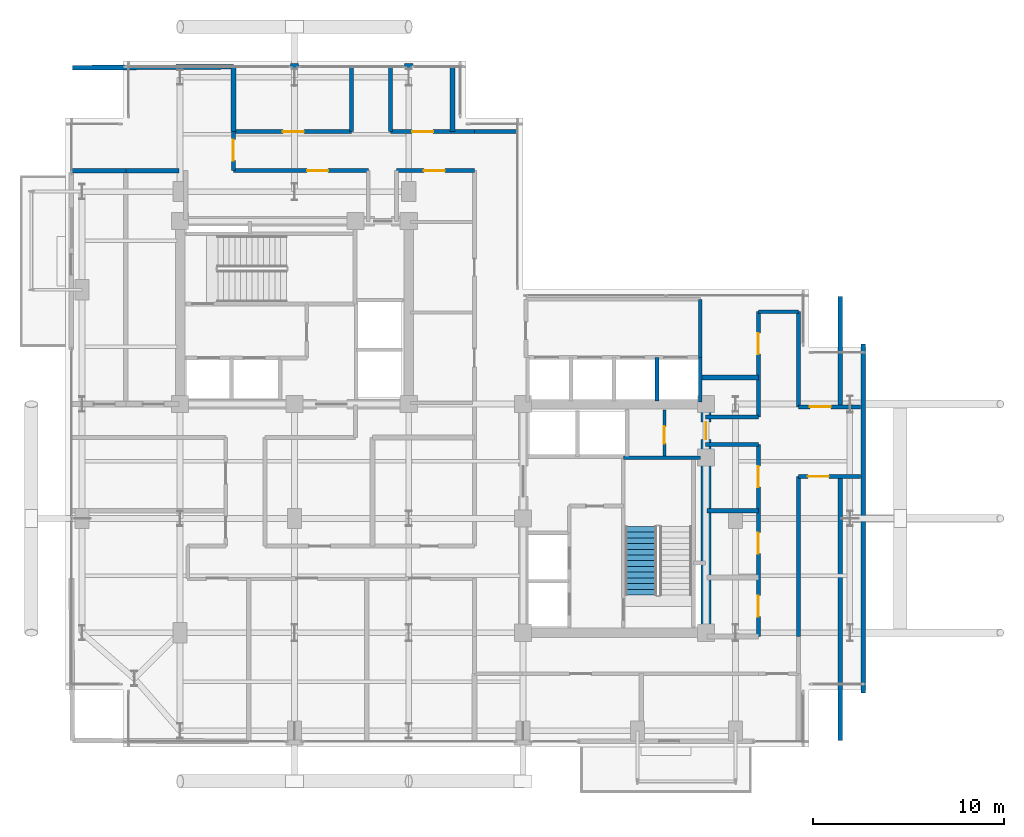
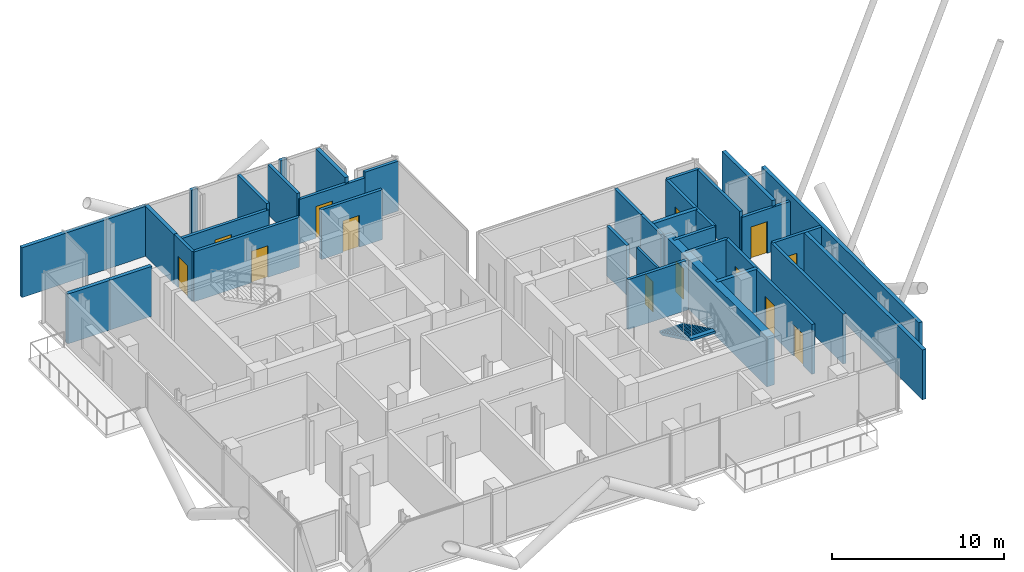
# One storey, part 22 of 26: 35 walls, 13 doors, 1 stair flight, 13 openings, 1 element without a shape of its own.
"""IFC4 building model written with IfcOpenShell, lengths in metres."""

import ifcopenshell
import ifcopenshell.guid

model = None  # the IFC model being written
_history = None  # IfcOwnerHistory: only IFC2X3 demands one
_inside = {}  # id of a spatial element -> (the spatial element, [elements in it])
_under = {}  # id of a project, library or spatial element -> (it, [spatial elements below it])
_declared = {}  # id of a project -> (the project, [libraries it declares])
_typed = {}  # id of a type object -> (the type object, [elements of that type])
_made_of = {}  # id of a material, layer set ... -> (it, [elements and type objects made of it])


def new_model(schema):
    """Start an empty IFC model of exactly this schema.

    Asked for "IFC4X3", IfcOpenShell would pick the latest addendum, in which some entities
    have other attributes; the version numbers below select the first issue.
    IFC2X3 requires an IfcOwnerHistory on every rooted entity: one is made here for all.
    """
    global model, _history
    if schema == "IFC4X3":
        model = ifcopenshell.file(schema_version=(4, 3, 0, 0))
    else:
        model = ifcopenshell.file(schema=schema)
    _inside.clear()
    _under.clear()
    _declared.clear()
    _typed.clear()
    _made_of.clear()
    _history = None
    if model.schema == "IFC2X3":
        org = make("IfcOrganization", Name="unknown")
        user = make(
            "IfcPersonAndOrganization",
            ThePerson=make("IfcPerson", FamilyName="unknown"),
            TheOrganization=org,
        )
        app = make(
            "IfcApplication",
            ApplicationDeveloper=org,
            Version="unknown",
            ApplicationFullName="unknown",
            ApplicationIdentifier="unknown",
        )
        _history = make(
            "IfcOwnerHistory",
            OwningUser=user,
            OwningApplication=app,
            ChangeAction="ADDED",
            CreationDate=0,
        )
    return model


def make(cls, **values):
    """One entity of the class cls with the attributes given. An attribute that is None is left unset."""
    return model.create_entity(
        cls, **{name: value for name, value in values.items() if value is not None}
    )


def rooted(cls, **values):
    """An entity with a GlobalId (a new one), such as an element, a storey or a relation."""
    return make(cls, GlobalId=ifcopenshell.guid.new(), OwnerHistory=_history, **values)


def si_unit(unit_type, name, prefix=None):
    """IfcSIUnit, for example si_unit("LENGTHUNIT", "METRE", prefix="MILLI")."""
    return make("IfcSIUnit", UnitType=unit_type, Prefix=prefix, Name=name)


def assignment(units):
    """IfcUnitAssignment: the units of a project."""
    return None if units is None else make("IfcUnitAssignment", Units=units)


def point(xyz):
    """IfcCartesianPoint."""
    return None if xyz is None else make("IfcCartesianPoint", Coordinates=xyz)


def direction(xyz):
    """IfcDirection."""
    return None if xyz is None else make("IfcDirection", DirectionRatios=xyz)


def frame(location, z_axis=None, x_axis=None):
    """IfcAxis2Placement3D, a coordinate frame: its origin and axes. An axis left out is left unset."""
    return make(
        "IfcAxis2Placement3D",
        Location=point(location),
        Axis=direction(z_axis),
        RefDirection=direction(x_axis),
    )


def frame_2d(location, x_axis=None):
    """IfcAxis2Placement2D, a coordinate frame in the plane: its origin and x axis."""
    return make(
        "IfcAxis2Placement2D", Location=point(location), RefDirection=direction(x_axis)
    )


def origin():
    """The frame at (0, 0, 0) with its axes left unset."""
    return frame((0.0, 0.0, 0.0))


def place(relative_to, where):
    """IfcLocalPlacement: puts the frame where relative to a parent placement (None: the world)."""
    return make(
        "IfcLocalPlacement", PlacementRelTo=relative_to, RelativePlacement=where
    )


def context(
    kind, dimensions, precision=None, world=None, true_north=None, identifier=None
):
    """IfcGeometricRepresentationContext, for example the 3D "Model" context."""
    return make(
        "IfcGeometricRepresentationContext",
        ContextIdentifier=identifier,
        ContextType=kind,
        CoordinateSpaceDimension=dimensions,
        Precision=precision,
        WorldCoordinateSystem=world,
        TrueNorth=true_north,
    )


def subcontext(parent, identifier, kind, view, scale=None):
    """IfcGeometricRepresentationSubContext, for example "Body" below "Model"."""
    return make(
        "IfcGeometricRepresentationSubContext",
        ContextIdentifier=identifier,
        ContextType=kind,
        ParentContext=parent,
        TargetScale=scale,
        TargetView=view,
    )


def project(units=None, contexts=None):
    """IfcProject with its units and contexts."""
    return rooted(
        "IfcProject",
        Name="project",
        RepresentationContexts=contexts,
        UnitsInContext=assignment(units),
    )


def spatial(cls, under=None, at=None, **own):
    """A site, building, storey or space (cls), placed at a placement, below another one or the project."""
    s = rooted(cls, ObjectPlacement=at, **own)
    if under is not None:
        _under.setdefault(under.id(), (under, []))[1].append(s)
    return s


def polyline(points):
    """IfcPolyline through the points."""
    return make("IfcPolyline", Points=[point(p) for p in points])


def profile(cls, at=None, kind="AREA", **sizes):
    """A parametric profile (cls). Its sizes go by their IFC names, for example OverallWidth=200.0."""
    return make(cls, ProfileType=kind, Position=at, **sizes)


def rectangle(**sizes):
    """IfcRectangleProfileDef."""
    return profile("IfcRectangleProfileDef", **sizes)


def outline(outer, holes=None, kind="AREA"):
    """IfcArbitraryClosedProfileDef: a profile drawn as a closed curve; with holes, ...WithVoids."""
    if holes is None:
        return make("IfcArbitraryClosedProfileDef", ProfileType=kind, OuterCurve=outer)
    return make(
        "IfcArbitraryProfileDefWithVoids",
        ProfileType=kind,
        OuterCurve=outer,
        InnerCurves=holes,
    )


def extrude(swept, where, along, depth):
    """IfcExtrudedAreaSolid: the profile swept, set in the frame where, extruded along a direction by depth."""
    return make(
        "IfcExtrudedAreaSolid",
        SweptArea=swept,
        Position=where,
        ExtrudedDirection=direction(along),
        Depth=depth,
    )


def shape(context_of_items, identifier, shape_type, items):
    """IfcShapeRepresentation: the items that make up one representation, for example the "Body"."""
    return make(
        "IfcShapeRepresentation",
        ContextOfItems=context_of_items,
        RepresentationIdentifier=identifier,
        RepresentationType=shape_type,
        Items=items,
    )


def material(Name=None, Category=None):
    """IfcMaterial."""
    return make("IfcMaterial", Name=Name, Category=Category)


def layer(
    of_material, thickness, ventilated=None, Name=None, Category=None, Priority=None
):
    """IfcMaterialLayer: one layer of a wall or slab, of a material (None: an air gap)."""
    return make(
        "IfcMaterialLayer",
        Material=of_material,
        LayerThickness=thickness,
        IsVentilated=ventilated,
        Name=Name,
        Category=Category,
        Priority=Priority,
    )


def layer_set(layers, Name=None):
    """IfcMaterialLayerSet."""
    return make("IfcMaterialLayerSet", MaterialLayers=layers, LayerSetName=Name)


def made_of(thing, what):
    """Note that an element or type object is made of a material, layer set ...; save() writes the relation."""
    if what is not None:
        _made_of.setdefault(what.id(), (what, []))[1].append(thing)
    return thing


def type_object(cls, material=None, **own):
    """A type object (cls), such as IfcWallType, which elements share."""
    return made_of(rooted(cls, **own), material)


def element(
    cls,
    number,
    at=None,
    inside=None,
    cuts=None,
    type_object=None,
    material=None,
    context=None,
    identifier="Body",
    shape_type=None,
    held_by="IfcProductDefinitionShape",
    body=None,
    shapes=None,
    **own,
):
    """One element of the class cls, such as IfcWall. Its Tag is "e" and its number.

    at: its placement. inside: the storey or other place that contains it. cuts: it is an
    opening in that element (IfcRelVoidsElement). A single representation is given by context,
    identifier, shape_type and body (its items); several are given by shapes. held_by: the class
    of the entity that holds the representations. save() writes the other relations.
    """
    e = rooted(cls, Tag="e%d" % number, ObjectPlacement=at, **own)
    if body is not None:
        shapes = [shape(context, identifier, shape_type, body)]
    if shapes is not None:
        e.Representation = make(held_by, Representations=shapes)
    if inside is not None:
        _inside.setdefault(inside.id(), (inside, []))[1].append(e)
    if cuts is not None:
        rooted(
            "IfcRelVoidsElement", RelatingBuildingElement=cuts, RelatedOpeningElement=e
        )
    if type_object is not None:
        _typed.setdefault(type_object.id(), (type_object, []))[1].append(e)
    return made_of(e, material)


def fill(opening, filler):
    """IfcRelFillsElement: the door or window that sits in an opening."""
    return rooted(
        "IfcRelFillsElement",
        RelatingOpeningElement=opening,
        RelatedBuildingElement=filler,
    )


def aggregate(whole, parts):
    """IfcRelAggregates: a whole, such as a stair, and the parts it consists of."""
    return rooted("IfcRelAggregates", RelatingObject=whole, RelatedObjects=parts)


def save(model, path):
    """Write the relations noted so far, then the file.

    IfcRelAggregates (storeys below a building ...), IfcRelContainedInSpatialStructure (elements
    in a storey), IfcRelDefinesByType, IfcRelAssociatesMaterial and IfcRelDeclares: one each for
    every whole, place, type object, material and project.
    """
    for whole, parts in _under.values():
        aggregate(whole, parts)
    for where, things in _inside.values():
        rooted(
            "IfcRelContainedInSpatialStructure",
            RelatedElements=things,
            RelatingStructure=where,
        )
    for kind, things in _typed.values():
        rooted("IfcRelDefinesByType", RelatedObjects=things, RelatingType=kind)
    for what, things in _made_of.values():
        rooted("IfcRelAssociatesMaterial", RelatedObjects=things, RelatingMaterial=what)
    for by, libraries in _declared.values():
        rooted("IfcRelDeclares", RelatingContext=by, RelatedDefinitions=libraries)
    model.write(path)


model = new_model("IFC4")

# Units and contexts
model_context = context("Model", 3, precision=1e-05, world=origin(), true_north=direction((0.0, 1.0)))
body_context = subcontext(model_context, "Body", "Model", "MODEL_VIEW")
ifc_project = project(units=[si_unit("LENGTHUNIT", "METRE"), si_unit("AREAUNIT", "SQUARE_METRE"), si_unit("VOLUMEUNIT", "CUBIC_METRE"), si_unit("PLANEANGLEUNIT", "RADIAN"), si_unit("MASSUNIT", "GRAM", prefix="KILO"), si_unit("THERMODYNAMICTEMPERATUREUNIT", "KELVIN"), si_unit("POWERUNIT", "WATT")], contexts=[model_context])

# Site, building, storey
site_placement = place(None, origin())
site = spatial("IfcSite", under=ifc_project, at=site_placement, CompositionType="ELEMENT")
building_placement = place(site_placement, origin())
building = spatial("IfcBuilding", under=site, at=building_placement, Name="Svarakhadi Broadcast Tower", CompositionType="ELEMENT")
storey_placement = place(building_placement, frame((0.0, 0.0, 184.199951171875)))
storey = spatial("IfcBuildingStorey", under=building, at=storey_placement, Name="L45", CompositionType="ELEMENT", Elevation=184.199951171875)

# Walls
ifc_material_1 = material(Name="Double-Stud Acoustic Studio Partition STC-62", Category="gypsum")
ifc_layer_1 = layer(ifc_material_1, 0.25)
ifc_layer_set_1 = layer_set([ifc_layer_1], Name="Double-Stud Acoustic Studio Partition STC-62")
wall_type_1 = type_object("IfcWallType", Name="Wall_Acoust_250", PredefinedType="PARTITIONING", material=ifc_layer_set_1)
wall_1_placement = place(storey_placement, frame((0.300048828125, 30.25, 0.0), z_axis=(0.0, 0.0, 1.0), x_axis=(1.0, 0.0, 0.0)))
element("IfcWall", 1, at=wall_1_placement, inside=storey, type_object=wall_type_1, Name="L45 Diplomatic Sunset Lounge Wall", PredefinedType="PARTITIONING", context=body_context, shape_type="SweptSolid", body=[
    extrude(rectangle(XDim=2.849853515625, YDim=0.25, at=frame_2d((1.4248046875, 0.0))), origin(), (0.0, 0.0, 1.0), 3.5400390625),
])
wall_2_placement = place(storey_placement, frame((3.14990234375, 30.25, 0.0), z_axis=(0.0, 0.0, 1.0), x_axis=(1.0, 0.0, 0.0)))
element("IfcWall", 2, at=wall_2_placement, inside=storey, type_object=wall_type_1, Name="L45 Ambassador Protocol Study Wall", PredefinedType="PARTITIONING", context=body_context, shape_type="SweptSolid", body=[
    extrude(rectangle(XDim=2.800048828125, YDim=0.25, at=frame_2d((1.39990234375, 0.0))), origin(), (0.0, 0.0, 1.0), 3.5400390625),
])
wall_3_placement = place(storey_placement, frame((33.64990234375, 12.39990234375, 0.0), z_axis=(0.0, 0.0, 1.0), x_axis=(1.0, 0.0, 0.0)))
element("IfcWall", 3, at=wall_3_placement, inside=storey, type_object=wall_type_1, Name="L45 VIP Cigar Lounge Wall", PredefinedType="PARTITIONING", context=body_context, shape_type="SweptSolid", body=[
    extrude(rectangle(XDim=2.7001953125, YDim=0.25, at=frame_2d((1.35009765625, 0.0))), origin(), (0.0, 0.0, 1.0), 3.5400390625),
])
wall_4_placement = place(storey_placement, frame((40.64990234375, 17.85009765625, 0.0), z_axis=(0.0, 0.0, 1.0), x_axis=(0.0, 1.0, 0.0)))
element("IfcWall", 4, at=wall_4_placement, inside=storey, type_object=wall_type_1, Name="L45 Hotel Harbour Panorama Suite Wall", PredefinedType="PARTITIONING", context=body_context, shape_type="SweptSolid", body=[
    extrude(rectangle(XDim=5.7998046875, YDim=0.25, at=frame_2d((2.89990234375, 0.0))), origin(), (0.0, 0.0, 1.0), 3.5400390625),
])
wall_5_placement = place(storey_placement, frame((33.35009765625, 19.39990234375, 0.0), z_axis=(0.0, 0.0, 1.0), x_axis=(1.0, 0.0, 0.0)))
element("IfcWall", 5, at=wall_5_placement, inside=storey, type_object=wall_type_1, Name="L45 Harbour Sunset Reading Lounge Wall", PredefinedType="PARTITIONING", context=body_context, shape_type="SweptSolid", body=[
    extrude(rectangle(XDim=3.0, YDim=0.25, at=frame_2d((1.5, 0.0))), origin(), (0.0, 0.0, 1.0), 3.5400390625),
])
wall_6_placement = place(storey_placement, frame((40.64990234375, 0.35009765625, 0.0), z_axis=(0.0, 0.0, 1.0), x_axis=(0.0, 1.0, 0.0)))
element("IfcWall", 6, at=wall_6_placement, inside=storey, type_object=wall_type_1, Name="L45 East Harbour Press Salon Wall", PredefinedType="PARTITIONING", context=body_context, shape_type="SweptSolid", body=[
    extrude(rectangle(XDim=13.849853515625, YDim=0.25, at=frame_2d((6.9248046875, 0.0))), origin(), (0.0, 0.0, 1.0), 3.5400390625),
])
wall_7_placement = place(storey_placement, frame((0.35009765625, 35.64990234375, 0.0), z_axis=(0.0, 0.0, 1.0), x_axis=(0.99998245966, 0.005922868574, 0.0)))
element("IfcWall", 7, at=wall_7_placement, inside=storey, type_object=wall_type_1, Name="L45 Hospitality Seminar Salon Wall", PredefinedType="PARTITIONING", context=body_context, shape_type="SweptSolid", body=[
    extrude(rectangle(XDim=8.4501953125, YDim=0.25, at=frame_2d((4.22509765625, 0.0))), origin(), (0.0, 0.0, 1.0), 3.5400390625),
])
for number, where, z_axis, x_axis, name in (
    (8, (8.800048828125, 32.300048828125, 0.0), (0.0, 0.0, 1.0), (0.0, 1.0, 0.0), "L45 Event Concierge Office Wall"),
    (9, (20.300048828125, 32.300048828125, 0.0), (0.0, 0.0, 1.0), (0.0, 1.0, 0.0), "L45 VIP Tea Ceremony Salon Wall"),
):
    element("IfcWall", number, at=place(storey_placement, frame(where, z_axis=z_axis, x_axis=x_axis)), inside=storey, type_object=wall_type_1, Name=name, PredefinedType="PARTITIONING", context=body_context, shape_type="SweptSolid", body=[
        extrude(rectangle(XDim=3.39990234375, YDim=0.25, at=frame_2d((1.699951171875, 0.0))), origin(), (0.0, 0.0, 1.0), 3.5400390625),
    ])
ifc_material_2 = material(Name="Concrete C40/50 (IS 456 M50)", Category="concrete")
ifc_layer_2 = layer(ifc_material_2, 0.239990234375)
ifc_layer_set_2 = layer_set([ifc_layer_2], Name="Concrete C40/50 (IS 456 M50)")
wall_type_2 = type_object("IfcWallType", Name="Wall_Ext_240", PredefinedType="SOLIDWALL", material=ifc_layer_set_2)
wall_8_placement = place(storey_placement, frame((41.85009765625, 21.14990234375, 0.0), z_axis=(0.0, 0.0, 1.0), x_axis=(0.0, -1.0, 0.0)))
element("IfcWall", 10, at=wall_8_placement, inside=storey, type_object=wall_type_2, Name="L45 Sky-Pool Raker Anchor Exterior Wall", PredefinedType="SOLIDWALL", context=body_context, shape_type="SweptSolid", body=[
    extrude(rectangle(XDim=18.2998046875, YDim=0.239990234375, at=frame_2d((9.14990234375, 0.0))), origin(), (0.0, 0.0, 1.0), 3.5400390625),
])
for number, where, z_axis, x_axis, name in (
    (11, (11.784912109375, 35.760009765625, 0.0), (0.0, 0.0, 1.0), (1.0, 0.0, 0.0), "L45 Perimeter Bronze Spandrel Closure Wall 01"),
    (12, (17.784912109375, 35.760009765625, 0.0), (0.0, 0.0, 1.0), (1.0, 0.0, 0.0), "L45 Perimeter Bronze Spandrel Closure Wall 02"),
):
    element("IfcWall", number, at=place(storey_placement, frame(where, z_axis=z_axis, x_axis=x_axis)), inside=storey, type_object=wall_type_2, Name=name, PredefinedType="SOLIDWALL", context=body_context, shape_type="SweptSolid", body=[
        extrude(rectangle(XDim=0.43017578125, YDim=0.239990234375, at=frame_2d((0.215087890625, 0.0))), origin(), (0.0, 0.0, 1.0), 3.5400390625),
    ])

# Wall, openings, doors
ifc_layer_3 = layer(ifc_material_2, 0.199951171875)
ifc_layer_set_3 = layer_set([ifc_layer_3], Name="Concrete C40/50 (IS 456 M50)")
wall_type_3 = type_object("IfcWallType", Name="Wall_Fire_200", PredefinedType="SOLIDWALL", material=ifc_layer_set_3)
wall_9_placement = place(storey_placement, frame((36.35009765625, 5.800048828125, 0.0), z_axis=(0.0, 0.0, 1.0), x_axis=(0.0, 1.0, 0.0)))
wall_9 = element("IfcWall", 13, at=wall_9_placement, inside=storey, type_object=wall_type_3, Name="L45 Zone 2/3 Corridor Wall", PredefinedType="SOLIDWALL", context=body_context, shape_type="SweptSolid", body=[
    extrude(rectangle(XDim=10.079833984375, YDim=0.199951171875, at=frame_2d((5.0400390625, 0.0))), origin(), (0.0, 0.0, 1.0), 3.5400390625),
])
opening_1_placement = place(wall_9_placement, frame((1.050048828125, 0.0, 0.0)))
opening_1 = element("IfcOpeningElement", 14, at=opening_1_placement, cuts=wall_9, Name="Opening D-11", PredefinedType="OPENING", context=body_context, shape_type="SweptSolid", body=[
    extrude(rectangle(XDim=1.10009765625, YDim=2.25, at=frame_2d((0.550048828125, 1.125))), frame((0.0, 0.10986328125, 0.0), z_axis=(0.0, -1.0, 0.0), x_axis=(1.0, 0.0, 0.0)), (0.0, 0.0, 1.0), 0.219970703125),
])
opening_2_placement = place(wall_9_placement, frame((4.35009765625, 0.0, 0.0)))
opening_2 = element("IfcOpeningElement", 15, at=opening_2_placement, cuts=wall_9, Name="Opening D-10", PredefinedType="OPENING", context=body_context, shape_type="SweptSolid", body=[
    extrude(rectangle(XDim=1.10009765625, YDim=2.25, at=frame_2d((0.550048828125, 1.125))), frame((0.0, 0.10986328125, 0.0), z_axis=(0.0, -1.0, 0.0), x_axis=(1.0, 0.0, 0.0)), (0.0, 0.0, 1.0), 0.219970703125),
])
opening_3_placement = place(wall_9_placement, frame((7.840087890625, 0.0, 0.0)))
opening_3 = element("IfcOpeningElement", 16, at=opening_3_placement, cuts=wall_9, Name="Opening D-10", PredefinedType="OPENING", context=body_context, shape_type="SweptSolid", body=[
    extrude(rectangle(XDim=1.10009765625, YDim=2.25, at=frame_2d((0.550048828125, 1.125))), frame((0.0, 0.10986328125, 0.0), z_axis=(0.0, -1.0, 0.0), x_axis=(1.0, 0.0, 0.0)), (0.0, 0.0, 1.0), 0.219970703125),
])
ifc_material_3 = material(Name="Solid-Core Teak Veneer Acoustic Timber Leaf", Category="wood")
door_type_1 = type_object("IfcDoorType", Name="Door_Acoust_D10", OperationType="SINGLE_SWING_LEFT", PredefinedType="DOOR", material=ifc_material_3)
door_1_placement = place(opening_2_placement, origin())
door_1 = element("IfcDoor", 17, at=door_1_placement, inside=storey, type_object=door_type_1, Name="L45 VIP Cigar Lounge Door", OperationType="SINGLE_SWING_LEFT", OverallHeight=2.25, OverallWidth=1.10009765625, PredefinedType="DOOR", context=body_context, shape_type="SweptSolid", body=[
    extrude(rectangle(XDim=1.10009765625, YDim=2.25, at=frame_2d((0.550048828125, 1.125))), frame((0.0, 0.02490234375, 0.0), z_axis=(0.0, -1.0, 0.0), x_axis=(1.0, 0.0, 0.0)), (0.0, 0.0, 1.0), 0.050048828125),
])
fill(opening_2, door_1)
door_2_placement = place(opening_3_placement, origin())
door_2 = element("IfcDoor", 18, at=door_2_placement, inside=storey, type_object=door_type_1, Name="L45 Sommelier Wine Tasting Room Door", OperationType="SINGLE_SWING_LEFT", OverallHeight=2.25, OverallWidth=1.10009765625, PredefinedType="DOOR", context=body_context, shape_type="SweptSolid", body=[
    extrude(rectangle(XDim=1.10009765625, YDim=2.25, at=frame_2d((0.550048828125, 1.125))), frame((0.0, 0.02490234375, 0.0), z_axis=(0.0, -1.0, 0.0), x_axis=(1.0, 0.0, 0.0)), (0.0, 0.0, 1.0), 0.050048828125),
])
fill(opening_3, door_2)
door_type_2 = type_object("IfcDoorType", Name="Door_Acoust_D11", OperationType="SINGLE_SWING_RIGHT", PredefinedType="DOOR", material=ifc_material_3)
door_3_placement = place(opening_1_placement, origin())
door_3 = element("IfcDoor", 19, at=door_3_placement, inside=storey, type_object=door_type_2, Name="L45 Sommelier Wine Tasting Room Door", OperationType="SINGLE_SWING_RIGHT", OverallHeight=2.25, OverallWidth=1.10009765625, PredefinedType="DOOR", context=body_context, shape_type="SweptSolid", body=[
    extrude(rectangle(XDim=1.10009765625, YDim=2.25, at=frame_2d((0.550048828125, 1.125))), frame((0.0, 0.02490234375, 0.0), z_axis=(0.0, -1.0, 0.0), x_axis=(1.0, 0.0, 0.0)), (0.0, 0.0, 1.0), 0.050048828125),
])
fill(opening_1, door_3)

# Walls
for number, where, z_axis, x_axis, name in (
    (20, (36.35009765625, 15.8798828125, 0.0), (0.0, 0.0, 1.0), (-1.0, 0.0, 0.0), "L45 Zone 2/3 Corridor Wall"),
    (21, (33.580078125, 17.320068359375, 0.0), (0.0, 0.0, 1.0), (1.0, 0.0, 0.0), "L45 Zone 2/3 Corridor Wall"),
):
    element("IfcWall", number, at=place(storey_placement, frame(where, z_axis=z_axis, x_axis=x_axis)), inside=storey, type_object=wall_type_3, Name=name, PredefinedType="SOLIDWALL", context=body_context, shape_type="SweptSolid", body=[
        extrude(rectangle(XDim=2.77001953125, YDim=0.199951171875, at=frame_2d((1.385009765625, 0.0))), origin(), (0.0, 0.0, 1.0), 3.5400390625),
    ])

# Wall, opening, door
wall_10_placement = place(storey_placement, frame((36.35009765625, 17.320068359375, 0.0), z_axis=(0.0, 0.0, 1.0), x_axis=(0.0, 1.0, 0.0)))
wall_10 = element("IfcWall", 22, at=wall_10_placement, inside=storey, type_object=wall_type_3, Name="L45 Zone 2/3 Corridor Wall", PredefinedType="SOLIDWALL", context=body_context, shape_type="SweptSolid", body=[
    extrude(rectangle(XDim=5.530029296875, YDim=0.199951171875, at=frame_2d((2.76513671875, 0.0))), origin(), (0.0, 0.0, 1.0), 3.5400390625),
])
opening_4_placement = place(wall_10_placement, frame((3.304931640625, 0.0, 0.0)))
opening_4 = element("IfcOpeningElement", 23, at=opening_4_placement, cuts=wall_10, Name="Opening D-11", PredefinedType="OPENING", context=body_context, shape_type="SweptSolid", body=[
    extrude(rectangle(XDim=1.10009765625, YDim=2.25, at=frame_2d((0.550048828125, 1.125))), frame((0.0, 0.10986328125, 0.0), z_axis=(0.0, -1.0, 0.0), x_axis=(1.0, 0.0, 0.0)), (0.0, 0.0, 1.0), 0.219970703125),
])
door_4_placement = place(opening_4_placement, origin())
door_4 = element("IfcDoor", 24, at=door_4_placement, inside=storey, type_object=door_type_2, Name="L45 Harbour Sunset Reading Lounge Door", OperationType="SINGLE_SWING_RIGHT", OverallHeight=2.25, OverallWidth=1.10009765625, PredefinedType="DOOR", context=body_context, shape_type="SweptSolid", body=[
    extrude(rectangle(XDim=1.10009765625, YDim=2.25, at=frame_2d((0.550048828125, 1.125))), frame((0.0, 0.02490234375, 0.0), z_axis=(0.0, -1.0, 0.0), x_axis=(1.0, 0.0, 0.0)), (0.0, 0.0, 1.0), 0.050048828125),
])
fill(opening_4, door_4)

# Walls
wall_11_placement = place(storey_placement, frame((36.35009765625, 22.85009765625, 0.0), z_axis=(0.0, 0.0, 1.0), x_axis=(1.0, 0.0, 0.0)))
element("IfcWall", 25, at=wall_11_placement, inside=storey, type_object=wall_type_3, Name="L45 Zone 2/3 Corridor Wall", PredefinedType="SOLIDWALL", context=body_context, shape_type="SweptSolid", body=[
    extrude(rectangle(XDim=2.099853515625, YDim=0.199951171875, at=frame_2d((1.0498046875, 0.0))), origin(), (0.0, 0.0, 1.0), 3.5400390625),
])
wall_12_placement = place(storey_placement, frame((38.449951171875, 22.85009765625, 0.0), z_axis=(0.0, 0.0, 1.0), x_axis=(0.0, -1.0, 0.0)))
element("IfcWall", 26, at=wall_12_placement, inside=storey, type_object=wall_type_3, Name="L45 Zone 2/3 Corridor Wall", PredefinedType="SOLIDWALL", context=body_context, shape_type="SweptSolid", body=[
    extrude(rectangle(XDim=5.0, YDim=0.199951171875, at=frame_2d((2.5, 0.0))), origin(), (0.0, 0.0, 1.0), 3.5400390625),
])

# Wall, opening, door
wall_13_placement = place(storey_placement, frame((38.449951171875, 17.85009765625, 0.0), z_axis=(0.0, 0.0, 1.0), x_axis=(1.0, 0.0, 0.0)))
wall_13 = element("IfcWall", 27, at=wall_13_placement, inside=storey, type_object=wall_type_3, Name="L45 Zone 2/3 Corridor Wall", PredefinedType="SOLIDWALL", context=body_context, shape_type="SweptSolid", body=[
    extrude(rectangle(XDim=3.25, YDim=0.199951171875, at=frame_2d((1.625, 0.0))), origin(), (0.0, 0.0, 1.0), 3.132080078125),
])
opening_5_placement = place(wall_13_placement, frame((0.60009765625, 0.0, 0.0)))
opening_5 = element("IfcOpeningElement", 28, at=opening_5_placement, cuts=wall_13, Name="Opening D-10", PredefinedType="OPENING", context=body_context, shape_type="SweptSolid", body=[
    extrude(rectangle(XDim=1.10009765625, YDim=2.25, at=frame_2d((0.550048828125, 1.125))), frame((0.0, 0.10986328125, 0.0), z_axis=(0.0, -1.0, 0.0), x_axis=(1.0, 0.0, 0.0)), (0.0, 0.0, 1.0), 0.219970703125),
])
door_5_placement = place(opening_5_placement, origin())
door_5 = element("IfcDoor", 29, at=door_5_placement, inside=storey, type_object=door_type_1, Name="L45 Hotel Harbour Panorama Suite Door", OperationType="SINGLE_SWING_LEFT", OverallHeight=2.25, OverallWidth=1.10009765625, PredefinedType="DOOR", context=body_context, shape_type="SweptSolid", body=[
    extrude(rectangle(XDim=1.10009765625, YDim=2.25, at=frame_2d((0.550048828125, 1.125))), frame((0.0, 0.02490234375, 0.0), z_axis=(0.0, -1.0, 0.0), x_axis=(1.0, 0.0, 0.0)), (0.0, 0.0, 1.0), 0.050048828125),
])
fill(opening_5, door_5)

wall_14_placement = place(storey_placement, frame((41.699951171875, 14.199951171875, 0.0), z_axis=(0.0, 0.0, 1.0), x_axis=(-1.0, 0.0, 0.0)))
wall_14 = element("IfcWall", 30, at=wall_14_placement, inside=storey, type_object=wall_type_3, Name="L45 Zone 2/3 Corridor Wall", PredefinedType="SOLIDWALL", context=body_context, shape_type="SweptSolid", body=[
    extrude(rectangle(XDim=3.25, YDim=0.199951171875, at=frame_2d((1.625, 0.0))), origin(), (0.0, 0.0, 1.0), 3.5400390625),
])
opening_6_placement = place(wall_14_placement, frame((1.64990234375, 0.0, 0.0)))
opening_6 = element("IfcOpeningElement", 31, at=opening_6_placement, cuts=wall_14, Name="Opening D-11", PredefinedType="OPENING", context=body_context, shape_type="SweptSolid", body=[
    extrude(rectangle(XDim=1.10009765625, YDim=2.25, at=frame_2d((0.550048828125, 1.125))), frame((0.0, 0.10986328125, 0.0), z_axis=(0.0, -1.0, 0.0), x_axis=(1.0, 0.0, 0.0)), (0.0, 0.0, 1.0), 0.219970703125),
])
door_6_placement = place(opening_6_placement, origin())
door_6 = element("IfcDoor", 32, at=door_6_placement, inside=storey, type_object=door_type_2, Name="L45 East Harbour Press Salon Door", OperationType="SINGLE_SWING_RIGHT", OverallHeight=2.25, OverallWidth=1.10009765625, PredefinedType="DOOR", context=body_context, shape_type="SweptSolid", body=[
    extrude(rectangle(XDim=1.10009765625, YDim=2.25, at=frame_2d((0.550048828125, 1.125))), frame((0.0, 0.02490234375, 0.0), z_axis=(0.0, -1.0, 0.0), x_axis=(1.0, 0.0, 0.0)), (0.0, 0.0, 1.0), 0.050048828125),
])
fill(opening_6, door_6)

# Wall
wall_15_placement = place(storey_placement, frame((38.449951171875, 14.199951171875, 0.0), z_axis=(0.0, 0.0, 1.0), x_axis=(0.0, -1.0, 0.0)))
element("IfcWall", 33, at=wall_15_placement, inside=storey, type_object=wall_type_3, Name="L45 Zone 2/3 Corridor Wall", PredefinedType="SOLIDWALL", context=body_context, shape_type="SweptSolid", body=[
    extrude(rectangle(XDim=8.39990234375, YDim=0.199951171875, at=frame_2d((4.199951171875, 0.0))), origin(), (0.0, 0.0, 1.0), 3.5400390625),
])

# Wall, opening, door
wall_16_placement = place(storey_placement, frame((21.449951171875, 30.25, 0.0), z_axis=(0.0, 0.0, 1.0), x_axis=(-1.0, 0.0, 0.0)))
wall_16 = element("IfcWall", 34, at=wall_16_placement, inside=storey, type_object=wall_type_3, Name="L45 Zone 2/3 Corridor Wall", PredefinedType="SOLIDWALL", context=body_context, shape_type="SweptSolid", body=[
    extrude(rectangle(XDim=4.099853515625, YDim=0.199951171875, at=frame_2d((2.0498046875, 0.0))), origin(), (0.0, 0.0, 1.0), 3.5400390625),
])
opening_7_placement = place(wall_16_placement, frame((1.550048828125, 0.0, 0.0)))
opening_7 = element("IfcOpeningElement", 35, at=opening_7_placement, cuts=wall_16, Name="Opening D-10", PredefinedType="OPENING", context=body_context, shape_type="SweptSolid", body=[
    extrude(rectangle(XDim=1.10009765625, YDim=2.25, at=frame_2d((0.550048828125, 1.125))), frame((0.0, 0.10986328125, 0.0), z_axis=(0.0, -1.0, 0.0), x_axis=(1.0, 0.0, 0.0)), (0.0, 0.0, 1.0), 0.219970703125),
])
door_7_placement = place(opening_7_placement, origin())
door_7 = element("IfcDoor", 36, at=door_7_placement, inside=storey, type_object=door_type_1, Name="L45 Guest Quiet Study Door", OperationType="SINGLE_SWING_LEFT", OverallHeight=2.25, OverallWidth=1.10009765625, PredefinedType="DOOR", context=body_context, shape_type="SweptSolid", body=[
    extrude(rectangle(XDim=1.10009765625, YDim=2.25, at=frame_2d((0.550048828125, 1.125))), frame((0.0, 0.02490234375, 0.0), z_axis=(0.0, -1.0, 0.0), x_axis=(1.0, 0.0, 0.0)), (0.0, 0.0, 1.0), 0.050048828125),
])
fill(opening_7, door_7)

wall_17_placement = place(storey_placement, frame((15.8798828125, 30.25, 0.0), z_axis=(0.0, 0.0, 1.0), x_axis=(-1.0, 0.0, 0.0)))
wall_17 = element("IfcWall", 37, at=wall_17_placement, inside=storey, type_object=wall_type_3, Name="L45 Zone 2/3 Corridor Wall", PredefinedType="SOLIDWALL", context=body_context, shape_type="SweptSolid", body=[
    extrude(rectangle(XDim=7.079833984375, YDim=0.199951171875, at=frame_2d((3.5400390625, 0.0))), origin(), (0.0, 0.0, 1.0), 3.5400390625),
])
opening_8_placement = place(wall_17_placement, frame((2.110107421875, 0.0, 0.0)))
opening_8 = element("IfcOpeningElement", 38, at=opening_8_placement, cuts=wall_17, Name="Opening D-10", PredefinedType="OPENING", context=body_context, shape_type="SweptSolid", body=[
    extrude(rectangle(XDim=1.10009765625, YDim=2.25, at=frame_2d((0.550048828125, 1.125))), frame((0.0, 0.10986328125, 0.0), z_axis=(0.0, -1.0, 0.0), x_axis=(1.0, 0.0, 0.0)), (0.0, 0.0, 1.0), 0.219970703125),
])
door_8_placement = place(opening_8_placement, origin())
door_8 = element("IfcDoor", 39, at=door_8_placement, inside=storey, type_object=door_type_1, Name="L45 Guest Library Study Door", OperationType="SINGLE_SWING_LEFT", OverallHeight=2.25, OverallWidth=1.10009765625, PredefinedType="DOOR", context=body_context, shape_type="SweptSolid", body=[
    extrude(rectangle(XDim=1.10009765625, YDim=2.25, at=frame_2d((0.550048828125, 1.125))), frame((0.0, 0.02490234375, 0.0), z_axis=(0.0, -1.0, 0.0), x_axis=(1.0, 0.0, 0.0)), (0.0, 0.0, 1.0), 0.050048828125),
])
fill(opening_8, door_8)

wall_18_placement = place(storey_placement, frame((8.800048828125, 30.25, 0.0), z_axis=(0.0, 0.0, 1.0), x_axis=(0.0, 1.0, 0.0)))
wall_18 = element("IfcWall", 40, at=wall_18_placement, inside=storey, type_object=wall_type_3, Name="L45 Zone 2/3 Corridor Wall", PredefinedType="SOLIDWALL", context=body_context, shape_type="SweptSolid", body=[
    extrude(rectangle(XDim=2.050048828125, YDim=0.199951171875, at=frame_2d((1.02490234375, 0.0))), origin(), (0.0, 0.0, 1.0), 3.5400390625),
])
opening_9_placement = place(wall_18_placement, frame((0.52490234375, 0.0, 0.0)))
opening_9 = element("IfcOpeningElement", 41, at=opening_9_placement, cuts=wall_18, Name="Opening D-11", PredefinedType="OPENING", context=body_context, shape_type="SweptSolid", body=[
    extrude(rectangle(XDim=1.10009765625, YDim=2.25, at=frame_2d((0.550048828125, 1.125))), frame((0.0, 0.10986328125, 0.0), z_axis=(0.0, -1.0, 0.0), x_axis=(1.0, 0.0, 0.0)), (0.0, 0.0, 1.0), 0.219970703125),
])
door_9_placement = place(opening_9_placement, origin())
door_9 = element("IfcDoor", 42, at=door_9_placement, inside=storey, type_object=door_type_2, Name="L45 Hospitality Seminar Salon Door", OperationType="SINGLE_SWING_RIGHT", OverallHeight=2.25, OverallWidth=1.10009765625, PredefinedType="DOOR", context=body_context, shape_type="SweptSolid", body=[
    extrude(rectangle(XDim=1.10009765625, YDim=2.25, at=frame_2d((0.550048828125, 1.125))), frame((0.0, 0.02490234375, 0.0), z_axis=(0.0, -1.0, 0.0), x_axis=(1.0, 0.0, 0.0)), (0.0, 0.0, 1.0), 0.050048828125),
])
fill(opening_9, door_9)

wall_19_placement = place(storey_placement, frame((8.800048828125, 32.300048828125, 0.0), z_axis=(0.0, 0.0, 1.0), x_axis=(1.0, 0.0, 0.0)))
wall_19 = element("IfcWall", 43, at=wall_19_placement, inside=storey, type_object=wall_type_3, Name="L45 Zone 2/3 Corridor Wall", PredefinedType="SOLIDWALL", context=body_context, shape_type="SweptSolid", body=[
    extrude(rectangle(XDim=6.199951171875, YDim=0.199951171875, at=frame_2d((3.10009765625, 0.0))), origin(), (0.0, 0.0, 1.0), 3.132080078125),
])
opening_10_placement = place(wall_19_placement, frame((2.60009765625, 0.0, 0.0)))
opening_10 = element("IfcOpeningElement", 44, at=opening_10_placement, cuts=wall_19, Name="Opening D-10", PredefinedType="OPENING", context=body_context, shape_type="SweptSolid", body=[
    extrude(rectangle(XDim=1.10009765625, YDim=2.25, at=frame_2d((0.550048828125, 1.125))), frame((0.0, 0.10986328125, 0.0), z_axis=(0.0, -1.0, 0.0), x_axis=(1.0, 0.0, 0.0)), (0.0, 0.0, 1.0), 0.219970703125),
])
door_10_placement = place(opening_10_placement, origin())
door_10 = element("IfcDoor", 45, at=door_10_placement, inside=storey, type_object=door_type_1, Name="L45 Event Concierge Office Door", OperationType="SINGLE_SWING_LEFT", OverallHeight=2.25, OverallWidth=1.10009765625, PredefinedType="DOOR", context=body_context, shape_type="SweptSolid", body=[
    extrude(rectangle(XDim=1.10009765625, YDim=2.25, at=frame_2d((0.550048828125, 1.125))), frame((0.0, 0.02490234375, 0.0), z_axis=(0.0, -1.0, 0.0), x_axis=(1.0, 0.0, 0.0)), (0.0, 0.0, 1.0), 0.050048828125),
])
fill(opening_10, door_10)

# Walls
for number, where, z_axis, x_axis, name in (
    (46, (15.0, 32.300048828125, 0.0), (0.0, 0.0, 1.0), (0.0, 1.0, 0.0), "L45 Zone 2/3 Corridor Wall"),
    (47, (17.050048828125, 35.699951171875, 0.0), (0.0, 0.0, 1.0), (0.0, -1.0, 0.0), "L45 Zone 2/3 Corridor Wall"),
):
    element("IfcWall", number, at=place(storey_placement, frame(where, z_axis=z_axis, x_axis=x_axis)), inside=storey, type_object=wall_type_3, Name=name, PredefinedType="SOLIDWALL", context=body_context, shape_type="SweptSolid", body=[
        extrude(rectangle(XDim=3.39990234375, YDim=0.199951171875, at=frame_2d((1.699951171875, 0.0))), origin(), (0.0, 0.0, 1.0), 3.5400390625),
    ])

# Wall, opening, door
wall_20_placement = place(storey_placement, frame((17.050048828125, 32.300048828125, 0.0), z_axis=(0.0, 0.0, 1.0), x_axis=(1.0, 0.0, 0.0)))
wall_20 = element("IfcWall", 48, at=wall_20_placement, inside=storey, type_object=wall_type_3, Name="L45 Zone 2/3 Corridor Wall", PredefinedType="SOLIDWALL", context=body_context, shape_type="SweptSolid", body=[
    extrude(rectangle(XDim=4.39990234375, YDim=0.199951171875, at=frame_2d((2.199951171875, 0.0))), origin(), (0.0, 0.0, 1.0), 3.132080078125),
])
opening_11_placement = place(wall_20_placement, frame((1.125, 0.0, 0.0)))
opening_11 = element("IfcOpeningElement", 49, at=opening_11_placement, cuts=wall_20, Name="Opening D-11", PredefinedType="OPENING", context=body_context, shape_type="SweptSolid", body=[
    extrude(rectangle(XDim=1.10009765625, YDim=2.25, at=frame_2d((0.550048828125, 1.125))), frame((0.0, 0.10986328125, 0.0), z_axis=(0.0, -1.0, 0.0), x_axis=(1.0, 0.0, 0.0)), (0.0, 0.0, 1.0), 0.219970703125),
])
door_11_placement = place(opening_11_placement, origin())
door_11 = element("IfcDoor", 50, at=door_11_placement, inside=storey, type_object=door_type_2, Name="L45 VIP Tea Ceremony Salon Door", OperationType="SINGLE_SWING_RIGHT", OverallHeight=2.25, OverallWidth=1.10009765625, PredefinedType="DOOR", context=body_context, shape_type="SweptSolid", body=[
    extrude(rectangle(XDim=1.10009765625, YDim=2.25, at=frame_2d((0.550048828125, 1.125))), frame((0.0, 0.02490234375, 0.0), z_axis=(0.0, -1.0, 0.0), x_axis=(1.0, 0.0, 0.0)), (0.0, 0.0, 1.0), 0.050048828125),
])
fill(opening_11, door_11)

# Wall
wall_21_placement = place(storey_placement, frame((21.449951171875, 32.300048828125, 0.0), z_axis=(0.0, 0.0, 1.0), x_axis=(1.0, 0.0, 0.0)))
element("IfcWall", 51, at=wall_21_placement, inside=storey, type_object=wall_type_3, Name="L45 Zone 2/3 Corridor Wall", PredefinedType="SOLIDWALL", context=body_context, shape_type="SweptSolid", body=[
    extrude(rectangle(XDim=2.25, YDim=0.199951171875, at=frame_2d((1.125, 0.0))), origin(), (0.0, 0.0, 1.0), 3.5400390625),
])

# Wall, opening, door
ifc_material_4 = material(Name="Autoclaved Aerated Concrete Blockwork 150 mm", Category="masonry")
ifc_layer_4 = layer(ifc_material_4, 0.14990234375)
ifc_layer_set_4 = layer_set([ifc_layer_4], Name="Autoclaved Aerated Concrete Blockwork 150 mm")
wall_type_4 = type_object("IfcWallType", Name="Wall_Part_150", PredefinedType="PARTITIONING", material=ifc_layer_set_4)
wall_22_placement = place(storey_placement, frame((31.419921875, 15.280029296875, 0.0), z_axis=(0.0, 0.0, 1.0), x_axis=(0.0, 1.0, 0.0)))
wall_22 = element("IfcWall", 52, at=wall_22_placement, inside=storey, type_object=wall_type_4, Name="L45 Core Service Split Wall", PredefinedType="PARTITIONING", context=body_context, shape_type="SweptSolid", body=[
    extrude(rectangle(XDim=2.419921875, YDim=0.14990234375, at=frame_2d((1.2099609375, 0.0))), origin(), (0.0, 0.0, 1.0), 3.5400390625),
])
opening_12_placement = place(wall_22_placement, frame((0.64990234375, 0.0, 0.0)))
opening_12 = element("IfcOpeningElement", 53, at=opening_12_placement, cuts=wall_22, Name="Opening D-03", PredefinedType="OPENING", context=body_context, shape_type="SweptSolid", body=[
    extrude(rectangle(XDim=0.89990234375, YDim=2.14990234375, at=frame_2d((0.449951171875, 1.074951171875))), frame((0.0, 0.0849609375, 0.0), z_axis=(0.0, -1.0, 0.0), x_axis=(1.0, 0.0, 0.0)), (0.0, 0.0, 1.0), 0.169921875),
])
ifc_material_5 = material(Name="Galvanised Powder-Coated Fire-Rated Steel Leaf", Category="steel")
door_type_3 = type_object("IfcDoorType", Name="Door_Fire_D03", OperationType="SINGLE_SWING_LEFT", PredefinedType="DOOR", material=ifc_material_5)
door_12_placement = place(opening_12_placement, origin())
door_12 = element("IfcDoor", 54, at=door_12_placement, inside=storey, type_object=door_type_3, Name="L45 Core Inner Riser Store Door", OperationType="SINGLE_SWING_LEFT", OverallHeight=2.14990234375, OverallWidth=0.89990234375, PredefinedType="DOOR", context=body_context, shape_type="SweptSolid", body=[
    extrude(rectangle(XDim=0.89990234375, YDim=2.14990234375, at=frame_2d((0.449951171875, 1.074951171875))), frame((0.0, 0.02490234375, 0.0), z_axis=(0.0, -1.0, 0.0), x_axis=(1.0, 0.0, 0.0)), (0.0, 0.0, 1.0), 0.050048828125),
])
fill(opening_12, door_12)

# Walls
ifc_material_6 = material(Name="Concrete C50/60 (IS 456 M60)", Category="concrete")
ifc_layer_5 = layer(ifc_material_6, 0.199951171875)
ifc_layer_set_5 = layer_set([ifc_layer_5], Name="Concrete C50/60 (IS 456 M60)")
wall_type_5 = type_object("IfcWallType", Name="Wall_Shear_200", PredefinedType="SHEAR", material=ifc_layer_set_5)
wall_23_placement = place(storey_placement, frame((29.260009765625, 15.179931640625, 0.0), z_axis=(0.0, 0.0, 1.0), x_axis=(1.0, 0.0, 0.0)))
element("IfcWall", 55, at=wall_23_placement, inside=storey, type_object=wall_type_5, Name="L45 Stair ST-02 North RC Shaft Wall", PredefinedType="SHEAR", context=body_context, shape_type="SweptSolid", body=[
    extrude(rectangle(XDim=4.0400390625, YDim=0.199951171875, at=frame_2d((2.02001953125, 0.0))), origin(), (0.0, 0.0, 1.0), 3.5400390625),
])
wall_24_placement = place(storey_placement, frame((33.300048828125, 18.10009765625, 0.0), z_axis=(0.0, 0.0, 1.0), x_axis=(0.0, 1.0, 0.0)))
element("IfcWall", 56, at=wall_24_placement, inside=storey, type_object=wall_type_5, Name="L45 Bank B East Shaft Wall", PredefinedType="SHEAR", context=body_context, shape_type="SweptSolid", body=[
    extrude(rectangle(XDim=2.349853515625, YDim=0.199951171875, at=frame_2d((1.1748046875, 0.0))), origin(), (0.0, 0.0, 1.0), 3.5400390625),
])
wall_25_placement = place(storey_placement, frame((31.02001953125, 18.14990234375, 0.0), z_axis=(0.0, 0.0, 1.0), x_axis=(0.0, 1.0, 0.0)))
element("IfcWall", 57, at=wall_25_placement, inside=storey, type_object=wall_type_5, Name="L45 Bank B Divider", PredefinedType="SHEAR", context=body_context, shape_type="SweptSolid", body=[
    extrude(rectangle(XDim=2.300048828125, YDim=0.199951171875, at=frame_2d((1.14990234375, 0.0))), origin(), (0.0, 0.0, 1.0), 3.5400390625),
])
wall_26_placement = place(storey_placement, frame((33.300048828125, 20.449951171875, 0.0), z_axis=(0.0, 0.0, 1.0), x_axis=(0.0, 1.0, 0.0)))
element("IfcWall", 58, at=wall_26_placement, inside=storey, type_object=wall_type_5, Name="L45 Bank B Lift Hall East Wall", PredefinedType="SHEAR", context=body_context, shape_type="SweptSolid", body=[
    extrude(rectangle(XDim=3.050048828125, YDim=0.199951171875, at=frame_2d((1.52490234375, 0.0))), origin(), (0.0, 0.0, 1.0), 3.5400390625),
])

# Wall, opening, door
ifc_layer_6 = layer(ifc_material_6, 0.5)
ifc_layer_set_6 = layer_set([ifc_layer_6], Name="Concrete C50/60 (IS 456 M60)")
wall_type_6 = type_object("IfcWallType", Name="Wall_Shear_500", PredefinedType="SHEAR", material=ifc_layer_set_6)
wall_27_placement = place(storey_placement, frame((33.60009765625, 6.0, 0.0), z_axis=(0.0, 0.0, 1.0), x_axis=(0.0, 1.0, 0.0)))
wall_27 = element("IfcWall", 59, at=wall_27_placement, inside=storey, type_object=wall_type_6, Name="L45 East Core East Shear Wall", PredefinedType="SHEAR", context=body_context, shape_type="SweptSolid", body=[
    extrude(rectangle(XDim=12.0, YDim=0.5, at=frame_2d((6.0, 0.0))), origin(), (0.0, 0.0, 1.0), 3.5400390625),
])
opening_13_placement = place(wall_27_placement, frame((10.14990234375, 0.0, 0.0)))
opening_13 = element("IfcOpeningElement", 60, at=opening_13_placement, cuts=wall_27, Name="Opening D-04", PredefinedType="OPENING", context=body_context, shape_type="SweptSolid", body=[
    extrude(rectangle(XDim=0.89990234375, YDim=2.14990234375, at=frame_2d((0.449951171875, 1.074951171875))), frame((0.0, 0.260009765625, 0.0), z_axis=(0.0, -1.0, 0.0), x_axis=(1.0, 0.0, 0.0)), (0.0, 0.0, 1.0), 0.52001953125),
])
door_type_4 = type_object("IfcDoorType", Name="Door_Fire_D04", OperationType="SINGLE_SWING_RIGHT", PredefinedType="DOOR", material=ifc_material_5)
door_13_placement = place(opening_13_placement, origin())
door_13 = element("IfcDoor", 61, at=door_13_placement, inside=storey, type_object=door_type_4, Name="L45 Core Outer Service Store Door", OperationType="SINGLE_SWING_RIGHT", OverallHeight=2.14990234375, OverallWidth=0.89990234375, PredefinedType="DOOR", context=body_context, shape_type="SweptSolid", body=[
    extrude(rectangle(XDim=0.89990234375, YDim=2.14990234375, at=frame_2d((0.449951171875, 1.074951171875))), frame((0.0, 0.02490234375, 0.0), z_axis=(0.0, -1.0, 0.0), x_axis=(1.0, 0.0, 0.0)), (0.0, 0.0, 1.0), 0.050048828125),
])
fill(opening_13, door_13)

# Stair, stair flight
stair_type = type_object("IfcStairType", Name="Stair_Exit_Core", PredefinedType="HALF_TURN_STAIR", material=ifc_material_2)
stair_placement = place(storey_placement, origin())
stair = element("IfcStair", 62, at=stair_placement, inside=storey, type_object=stair_type, Name="L45 East Core Protected Exit Stair ST-02", PredefinedType="HALF_TURN_STAIR")
stair_flight_type = type_object("IfcStairFlightType", Name="Flight_RC_1680", PredefinedType="STRAIGHT", material=ifc_material_2)
stair_flight_placement = place(storey_placement, frame((30.18994140625, 11.580078125, 1.875), z_axis=(0.0, 0.0, 1.0), x_axis=(0.0, -1.0, 0.0)))
stair_flight = element("IfcStairFlight", 63, at=stair_flight_placement, type_object=stair_flight_type, Name="ST-02 flight 2", NumberOfRisers=13, NumberOfTreads=12, PredefinedType="STRAIGHT", RiserHeight=0.144230769, TreadLength=0.3, context=body_context, shape_type="SweptSolid", body=[
    extrude(outline(polyline([(0.0, 0.0), (0.0, 0.144287109375), (0.300048828125, 0.144287109375), (0.300048828125, 0.28857421875), (0.60009765625, 0.28857421875), (0.60009765625, 0.4326171875), (0.89990234375, 0.4326171875), (0.89990234375, 0.576904296875), (1.199951171875, 0.576904296875), (1.199951171875, 0.72119140625), (1.5, 0.72119140625), (1.5, 0.865478515625), (1.800048828125, 0.865478515625), (1.800048828125, 1.009521484375), (2.10009765625, 1.009521484375), (2.10009765625, 1.15380859375), (2.39990234375, 1.15380859375), (2.39990234375, 1.298095703125), (2.699951171875, 1.298095703125), (2.699951171875, 1.4423828125), (3.0, 1.4423828125), (3.0, 1.58642578125), (3.300048828125, 1.58642578125), (3.300048828125, 1.730712890625), (3.60009765625, 1.730712890625), (3.60009765625, 1.875), (3.60009765625, 1.564453125), (0.345947265625, 0.0), (0.0, 0.0)])), frame((0.0, 0.830078125, 0.0), z_axis=(0.0, -1.0, 0.0), x_axis=(1.0, 0.0, 0.0)), (0.0, 0.0, 1.0), 1.659912109375),
])
aggregate(stair, [stair_flight])

save(model, "model.ifc")
